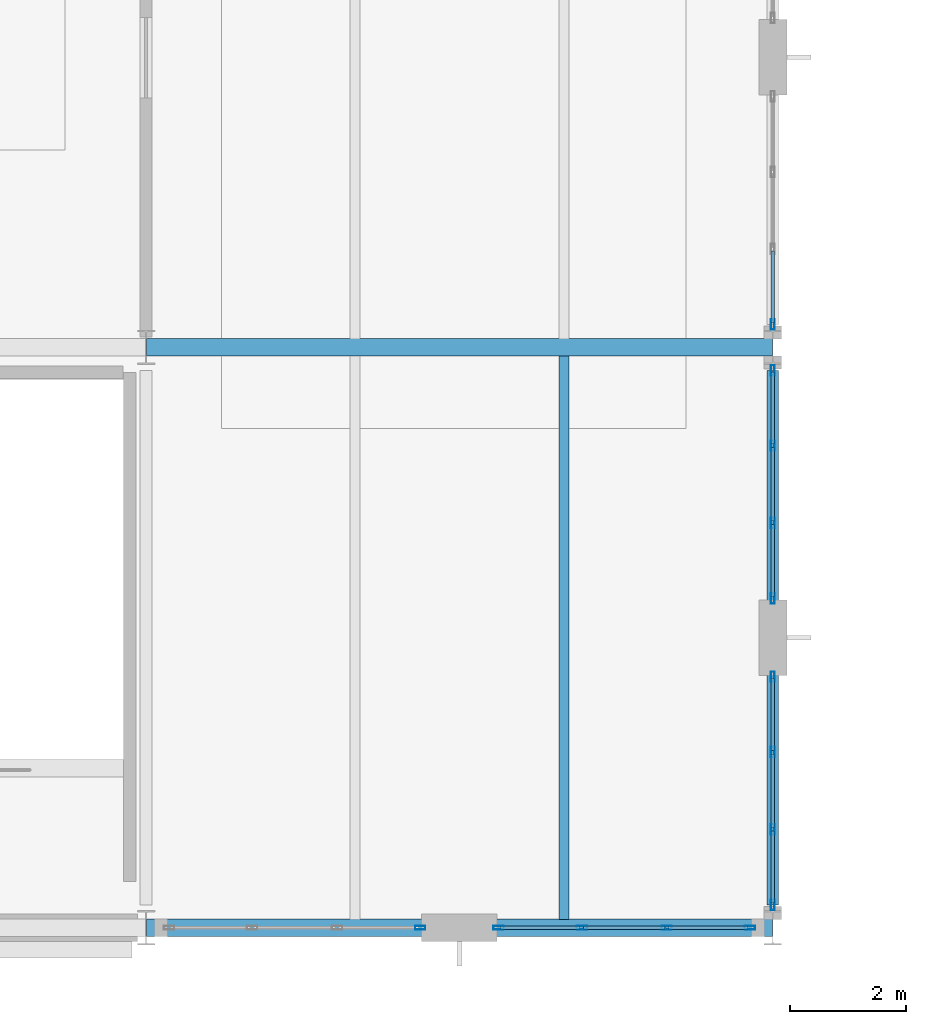
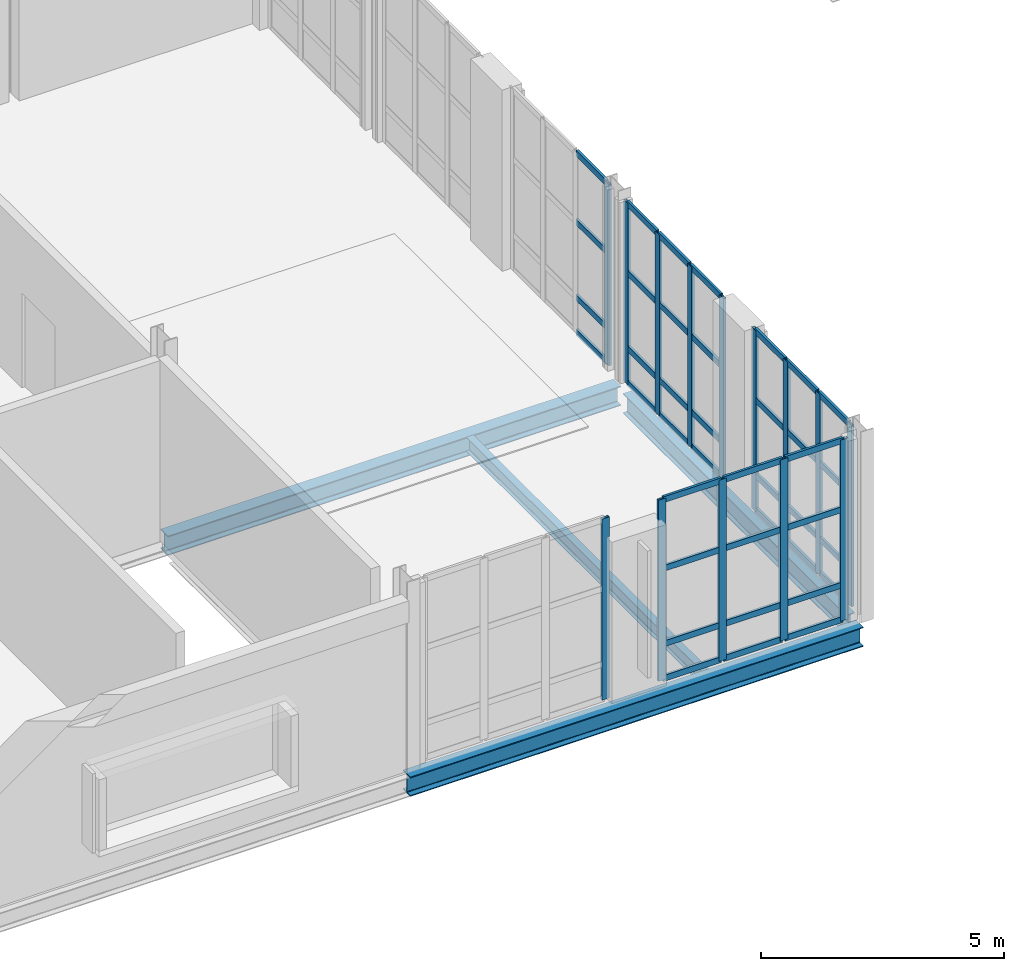
# One storey, part 18 of 92: 54 members, 4 beams, 5 elements without a shape of their own.
"""IFC4 building model written with IfcOpenShell, lengths in metres."""

from ifc_helpers import new_model, si_unit, direction, frame, origin, origin_2d, place, context, subcontext, project, spatial, hollow_rectangle, i_section, extrude, material, layer, layer_set, material_profile, profile_set, type_object, element, aggregate, save


model = new_model("IFC4")

# Units and contexts
model_context = context("Model", 3, precision=1e-05, world=origin(), true_north=direction((0.0, 1.0)))
body_context = subcontext(model_context, "Body", "Model", "MODEL_VIEW")
ifc_project = project(units=[si_unit("LENGTHUNIT", "METRE"), si_unit("AREAUNIT", "SQUARE_METRE"), si_unit("VOLUMEUNIT", "CUBIC_METRE"), si_unit("PLANEANGLEUNIT", "RADIAN"), si_unit("MASSUNIT", "GRAM", prefix="KILO")], contexts=[model_context])

# Site, building, storey
site_placement = place(None, origin())
site = spatial("IfcSite", under=ifc_project, at=site_placement, CompositionType="ELEMENT")
building_placement = place(site_placement, origin())
building = spatial("IfcBuilding", under=site, at=building_placement, Name="Tasgan Crest Museum", CompositionType="ELEMENT")
storey_placement = place(building_placement, frame((0.0, 0.0, 4.800048828125)))
storey = spatial("IfcBuildingStorey", under=building, at=storey_placement, Name="L01", CompositionType="ELEMENT", Elevation=4.800048828125)

# Beams
ifc_material_1 = material(Name="Steel S355J2", Category="steel")
ifc_material_profile_1 = material_profile(ifc_material_1, i_section(OverallWidth=0.300048828125, OverallDepth=0.489990234375, WebThickness=0.011962890625, FlangeThickness=0.02294921875, FilletRadius=0.027099609375, at=origin_2d()), Name="HEA 500")
ifc_profile_set_1 = profile_set([ifc_material_profile_1], Name="Steel S355J2")
beam_type_1 = type_object("IfcBeamType", Name="BM-G-HEA500", PredefinedType="BEAM", material=ifc_profile_set_1)
for number, where, z_axis, x_axis, name in (
    (1, (43.206787109375, 0.0, -0.485107421875), (1.0, 0.0, 0.0), (0.0, 1.0, 0.0), "Girder L01 A 43.2-54.0"),
    (2, (43.206787109375, 10.0, -0.485107421875), (1.0, 0.0, 0.0), (0.0, 1.0, 0.0), "Girder L01 B 43.2-54.0"),
):
    element("IfcBeam", number, at=place(storey_placement, frame(where, z_axis=z_axis, x_axis=x_axis)), inside=storey, type_object=beam_type_1, Name=name, PredefinedType="BEAM", context=body_context, shape_type="SweptSolid", body=[
        extrude(i_section(OverallWidth=0.300048828125, OverallDepth=0.489990234375, WebThickness=0.011962890625, FlangeThickness=0.02294921875, FilletRadius=0.027099609375, at=origin_2d()), origin(), (0.0, 0.0, 1.0), 10.786376953125),
    ])
ifc_material_2 = material(Name="Steel S355J2", Category="steel")
ifc_material_profile_2 = material_profile(ifc_material_2, i_section(OverallWidth=0.199951171875, OverallDepth=0.5, WebThickness=0.01025390625, FlangeThickness=0.01611328125, FilletRadius=0.02099609375, at=origin_2d()), Name="IPE 500")
ifc_profile_set_2 = profile_set([ifc_material_profile_2], Name="Steel S355J2")
beam_type_2 = type_object("IfcBeamType", Name="BM-G-IPE500", PredefinedType="BEAM", material=ifc_profile_set_2)
beam_1_placement = place(storey_placement, frame((54.0, 0.39501953125, -0.489990234375), z_axis=(0.0, 1.0, 0.0), x_axis=(-1.0, 0.0, 0.0)))
element("IfcBeam", 3, at=beam_1_placement, inside=storey, type_object=beam_type_2, Name="Beam L01 6 0.0-10.0", PredefinedType="BEAM", context=body_context, shape_type="SweptSolid", body=[
    extrude(i_section(OverallWidth=0.199951171875, OverallDepth=0.5, WebThickness=0.01025390625, FlangeThickness=0.01611328125, FilletRadius=0.02099609375, at=origin_2d()), origin(), (0.0, 0.0, 1.0), 9.2099609375),
])
ifc_material_3 = material(Name="Steel S355J2", Category="steel")
ifc_material_profile_3 = material_profile(ifc_material_3, i_section(OverallWidth=0.169921875, OverallDepth=0.360107421875, WebThickness=0.008056640625, FlangeThickness=0.0126953125, FilletRadius=0.01806640625, at=origin_2d()), Name="IPE 360")
ifc_profile_set_3 = profile_set([ifc_material_profile_3], Name="Steel S355J2")
beam_type_3 = type_object("IfcBeamType", Name="BM-J-IPE360", PredefinedType="JOIST", material=ifc_profile_set_3)
beam_2_placement = place(storey_placement, frame((50.39990234375, 0.14501953125, -0.420166015625), z_axis=(0.0, 1.0, 0.0), x_axis=(-1.0, 0.0, 0.0)))
element("IfcBeam", 4, at=beam_2_placement, inside=storey, type_object=beam_type_3, Name="Secondary joist L01 X=50.4 Y=0.0-10.0", PredefinedType="JOIST", context=body_context, shape_type="SweptSolid", body=[
    extrude(i_section(OverallWidth=0.169921875, OverallDepth=0.360107421875, WebThickness=0.008056640625, FlangeThickness=0.0126953125, FilletRadius=0.01806640625, at=origin_2d()), origin(), (0.0, 0.0, 1.0), 9.7099609375),
])

# Curtain wall, member
ifc_material_4 = material(Name="Triple-Glazed Aluminium Curtain Wall", Category="aluminium")
ifc_layer_1 = layer(ifc_material_4, 0.179931640625, Name="CW-PORCH-X")
ifc_layer_set_1 = layer_set([ifc_layer_1], Name="Triple-Glazed Aluminium Curtain Wall")
curtain_wall_type_1 = type_object("IfcCurtainWallType", Name="CW-PORCH-X", PredefinedType="NOTDEFINED", material=ifc_layer_set_1)
curtain_wall_1_placement = place(storey_placement, origin())
curtain_wall_1 = element("IfcCurtainWall", 5, at=curtain_wall_1_placement, inside=storey, type_object=curtain_wall_type_1, Name="Curtain wall L01 017", PredefinedType="NOTDEFINED")
ifc_material_5 = material(Name="Anodised Aluminium", Category="aluminium")
ifc_material_profile_4 = material_profile(ifc_material_5, hollow_rectangle(XDim=0.06494140625, YDim=0.179931640625, WallThickness=0.0048828125, at=origin_2d()), Name="ALU MULLION 180x65x5")
ifc_profile_set_4 = profile_set([ifc_material_profile_4], Name="Anodised Aluminium")
member_type_1 = type_object("IfcMemberType", Name="CW-MULLION-180", PredefinedType="MULLION", material=ifc_profile_set_4)
member_1_placement = place(storey_placement, frame((47.925048828125, 0.0, 0.0), z_axis=(0.0, 0.0, 1.0), x_axis=(0.0, 1.0, 0.0)))
member_1 = element("IfcMember", 6, at=member_1_placement, type_object=member_type_1, Name="CW01 mullion 4", PredefinedType="MULLION", context=body_context, shape_type="SweptSolid", body=[
    extrude(hollow_rectangle(XDim=0.06494140625, YDim=0.179931640625, WallThickness=0.0048828125, at=origin_2d()), origin(), (0.0, 0.0, 1.0), 4.56005859375),
])
aggregate(curtain_wall_1, [member_1])

# Curtain wall, members
curtain_wall_2_placement = place(storey_placement, origin())
curtain_wall_2 = element("IfcCurtainWall", 7, at=curtain_wall_2_placement, inside=storey, type_object=curtain_wall_type_1, Name="Curtain wall L01 018", PredefinedType="NOTDEFINED")
member_2_placement = place(storey_placement, frame((49.27490234375, 0.0, 0.0), z_axis=(0.0, 0.0, 1.0), x_axis=(0.0, 1.0, 0.0)))
member_2 = element("IfcMember", 8, at=member_2_placement, type_object=member_type_1, Name="CW01 mullion 1", PredefinedType="MULLION", context=body_context, shape_type="SweptSolid", body=[
    extrude(hollow_rectangle(XDim=0.06494140625, YDim=0.179931640625, WallThickness=0.0048828125, at=origin_2d()), origin(), (0.0, 0.0, 1.0), 4.56005859375),
])
member_3_placement = place(storey_placement, frame((50.708251953125, 0.0, 0.0), z_axis=(0.0, 0.0, 1.0), x_axis=(0.0, 1.0, 0.0)))
member_3 = element("IfcMember", 9, at=member_3_placement, type_object=member_type_1, Name="CW01 mullion 2", PredefinedType="MULLION", context=body_context, shape_type="SweptSolid", body=[
    extrude(hollow_rectangle(XDim=0.06494140625, YDim=0.179931640625, WallThickness=0.0048828125, at=origin_2d()), origin(), (0.0, 0.0, 1.0), 4.56005859375),
])
member_4_placement = place(storey_placement, frame((52.171630859375, 0.0, 0.0), z_axis=(0.0, 0.0, 1.0), x_axis=(0.0, 1.0, 0.0)))
member_4 = element("IfcMember", 10, at=member_4_placement, type_object=member_type_1, Name="CW01 mullion 3", PredefinedType="MULLION", context=body_context, shape_type="SweptSolid", body=[
    extrude(hollow_rectangle(XDim=0.06494140625, YDim=0.179931640625, WallThickness=0.0048828125, at=origin_2d()), origin(), (0.0, 0.0, 1.0), 4.56005859375),
])
member_5_placement = place(storey_placement, frame((53.60498046875, 0.0, 0.0), z_axis=(0.0, 0.0, 1.0), x_axis=(0.0, 1.0, 0.0)))
member_5 = element("IfcMember", 11, at=member_5_placement, type_object=member_type_1, Name="CW01 mullion 4", PredefinedType="MULLION", context=body_context, shape_type="SweptSolid", body=[
    extrude(hollow_rectangle(XDim=0.06494140625, YDim=0.179931640625, WallThickness=0.0048828125, at=origin_2d()), origin(), (0.0, 0.0, 1.0), 4.56005859375),
])

ifc_material_6 = material(Name="Triple-Glazed Aluminium Curtain Wall", Category="aluminium")
ifc_layer_2 = layer(ifc_material_6, 0.179931640625, Name="CW-PORCH-Y")
ifc_layer_set_2 = layer_set([ifc_layer_2], Name="Triple-Glazed Aluminium Curtain Wall")
curtain_wall_type_2 = type_object("IfcCurtainWallType", Name="CW-PORCH-Y", PredefinedType="NOTDEFINED", material=ifc_layer_set_2)
curtain_wall_3_placement = place(storey_placement, origin())
curtain_wall_3 = element("IfcCurtainWall", 12, at=curtain_wall_3_placement, inside=storey, type_object=curtain_wall_type_2, Name="Curtain wall L01 019", PredefinedType="NOTDEFINED")
member_6_placement = place(storey_placement, frame((54.0, 0.39501953125, 0.0), z_axis=(0.0, 0.0, 1.0), x_axis=(-1.0, 0.0, 0.0)))
member_6 = element("IfcMember", 13, at=member_6_placement, type_object=member_type_1, Name="CW02 mullion 1", PredefinedType="MULLION", context=body_context, shape_type="SweptSolid", body=[
    extrude(hollow_rectangle(XDim=0.06494140625, YDim=0.179931640625, WallThickness=0.0048828125, at=origin_2d()), origin(), (0.0, 0.0, 1.0), 4.56005859375),
])
member_7_placement = place(storey_placement, frame((54.0, 1.695068359375, 0.0), z_axis=(0.0, 0.0, 1.0), x_axis=(-1.0, 0.0, 0.0)))
member_7 = element("IfcMember", 14, at=member_7_placement, type_object=member_type_1, Name="CW02 mullion 2", PredefinedType="MULLION", context=body_context, shape_type="SweptSolid", body=[
    extrude(hollow_rectangle(XDim=0.06494140625, YDim=0.179931640625, WallThickness=0.0048828125, at=origin_2d()), origin(), (0.0, 0.0, 1.0), 4.56005859375),
])
member_8_placement = place(storey_placement, frame((54.0, 3.02490234375, 0.0), z_axis=(0.0, 0.0, 1.0), x_axis=(-1.0, 0.0, 0.0)))
member_8 = element("IfcMember", 15, at=member_8_placement, type_object=member_type_1, Name="CW02 mullion 3", PredefinedType="MULLION", context=body_context, shape_type="SweptSolid", body=[
    extrude(hollow_rectangle(XDim=0.06494140625, YDim=0.179931640625, WallThickness=0.0048828125, at=origin_2d()), origin(), (0.0, 0.0, 1.0), 4.56005859375),
])
member_9_placement = place(storey_placement, frame((54.0, 4.324951171875, 0.0), z_axis=(0.0, 0.0, 1.0), x_axis=(-1.0, 0.0, 0.0)))
member_9 = element("IfcMember", 16, at=member_9_placement, type_object=member_type_1, Name="CW02 mullion 4", PredefinedType="MULLION", context=body_context, shape_type="SweptSolid", body=[
    extrude(hollow_rectangle(XDim=0.06494140625, YDim=0.179931640625, WallThickness=0.0048828125, at=origin_2d()), origin(), (0.0, 0.0, 1.0), 4.56005859375),
])

curtain_wall_4_placement = place(storey_placement, origin())
curtain_wall_4 = element("IfcCurtainWall", 17, at=curtain_wall_4_placement, inside=storey, type_object=curtain_wall_type_2, Name="Curtain wall L01 020", PredefinedType="NOTDEFINED")
member_10_placement = place(storey_placement, frame((54.0, 5.675048828125, 0.0), z_axis=(0.0, 0.0, 1.0), x_axis=(-1.0, 0.0, 0.0)))
member_10 = element("IfcMember", 18, at=member_10_placement, type_object=member_type_1, Name="CW02 mullion 1", PredefinedType="MULLION", context=body_context, shape_type="SweptSolid", body=[
    extrude(hollow_rectangle(XDim=0.06494140625, YDim=0.179931640625, WallThickness=0.0048828125, at=origin_2d()), origin(), (0.0, 0.0, 1.0), 4.56005859375),
])
member_11_placement = place(storey_placement, frame((54.0, 6.97509765625, 0.0), z_axis=(0.0, 0.0, 1.0), x_axis=(-1.0, 0.0, 0.0)))
member_11 = element("IfcMember", 19, at=member_11_placement, type_object=member_type_1, Name="CW02 mullion 2", PredefinedType="MULLION", context=body_context, shape_type="SweptSolid", body=[
    extrude(hollow_rectangle(XDim=0.06494140625, YDim=0.179931640625, WallThickness=0.0048828125, at=origin_2d()), origin(), (0.0, 0.0, 1.0), 4.56005859375),
])
member_12_placement = place(storey_placement, frame((54.0, 8.304931640625, 0.0), z_axis=(0.0, 0.0, 1.0), x_axis=(-1.0, 0.0, 0.0)))
member_12 = element("IfcMember", 20, at=member_12_placement, type_object=member_type_1, Name="CW02 mullion 3", PredefinedType="MULLION", context=body_context, shape_type="SweptSolid", body=[
    extrude(hollow_rectangle(XDim=0.06494140625, YDim=0.179931640625, WallThickness=0.0048828125, at=origin_2d()), origin(), (0.0, 0.0, 1.0), 4.56005859375),
])
member_13_placement = place(storey_placement, frame((54.0, 9.60498046875, 0.0), z_axis=(0.0, 0.0, 1.0), x_axis=(-1.0, 0.0, 0.0)))
member_13 = element("IfcMember", 21, at=member_13_placement, type_object=member_type_1, Name="CW02 mullion 4", PredefinedType="MULLION", context=body_context, shape_type="SweptSolid", body=[
    extrude(hollow_rectangle(XDim=0.06494140625, YDim=0.179931640625, WallThickness=0.0048828125, at=origin_2d()), origin(), (0.0, 0.0, 1.0), 4.56005859375),
])

# Curtain wall, member
curtain_wall_5_placement = place(storey_placement, origin())
curtain_wall_5 = element("IfcCurtainWall", 22, at=curtain_wall_5_placement, inside=storey, type_object=curtain_wall_type_2, Name="Curtain wall L01 021", PredefinedType="NOTDEFINED")
member_14_placement = place(storey_placement, frame((54.0, 10.39501953125, 0.0), z_axis=(0.0, 0.0, 1.0), x_axis=(-1.0, 0.0, 0.0)))
member_14 = element("IfcMember", 23, at=member_14_placement, type_object=member_type_1, Name="CW02 mullion 1", PredefinedType="MULLION", context=body_context, shape_type="SweptSolid", body=[
    extrude(hollow_rectangle(XDim=0.06494140625, YDim=0.179931640625, WallThickness=0.0048828125, at=origin_2d()), origin(), (0.0, 0.0, 1.0), 4.56005859375),
])

# Member
ifc_material_7 = material(Name="Anodised Aluminium", Category="aluminium")
ifc_material_profile_5 = material_profile(ifc_material_7, hollow_rectangle(XDim=0.06005859375, YDim=0.14990234375, WallThickness=0.0048828125, at=origin_2d()), Name="ALU TRANSOM 150x60x5")
ifc_profile_set_5 = profile_set([ifc_material_profile_5], Name="Anodised Aluminium")
member_type_2 = type_object("IfcMemberType", Name="CW-TRANSOM-150", PredefinedType="USERDEFINED", material=ifc_profile_set_5)
member_15_placement = place(storey_placement, frame((49.304931640625, 0.0, 0.030029296875), z_axis=(1.0, 0.0, 0.0), x_axis=(0.0, 1.0, 0.0)))
member_15 = element("IfcMember", 24, at=member_15_placement, type_object=member_type_2, Name="CW01 transom 1.1", ObjectType="TRANSOM", PredefinedType="USERDEFINED", context=body_context, shape_type="SweptSolid", body=[
    extrude(hollow_rectangle(XDim=0.06005859375, YDim=0.14990234375, WallThickness=0.0048828125, at=origin_2d()), origin(), (0.0, 0.0, 1.0), 1.373291015625),
])

member_16_placement = place(storey_placement, frame((49.304931640625, 0.0, 0.89990234375), z_axis=(1.0, 0.0, 0.0), x_axis=(0.0, 1.0, 0.0)))
member_16 = element("IfcMember", 25, at=member_16_placement, type_object=member_type_2, Name="CW01 transom 1.2", ObjectType="TRANSOM", PredefinedType="USERDEFINED", context=body_context, shape_type="SweptSolid", body=[
    extrude(hollow_rectangle(XDim=0.06005859375, YDim=0.14990234375, WallThickness=0.0048828125, at=origin_2d()), origin(), (0.0, 0.0, 1.0), 1.373291015625),
])

member_17_placement = place(storey_placement, frame((49.304931640625, 0.0, 2.800048828125), z_axis=(1.0, 0.0, 0.0), x_axis=(0.0, 1.0, 0.0)))
member_17 = element("IfcMember", 26, at=member_17_placement, type_object=member_type_2, Name="CW01 transom 1.3", ObjectType="TRANSOM", PredefinedType="USERDEFINED", context=body_context, shape_type="SweptSolid", body=[
    extrude(hollow_rectangle(XDim=0.06005859375, YDim=0.14990234375, WallThickness=0.0048828125, at=origin_2d()), origin(), (0.0, 0.0, 1.0), 1.373291015625),
])

member_18_placement = place(storey_placement, frame((49.304931640625, 0.0, 4.530029296875), z_axis=(1.0, 0.0, 0.0), x_axis=(0.0, 1.0, 0.0)))
member_18 = element("IfcMember", 27, at=member_18_placement, type_object=member_type_2, Name="CW01 transom 1.4", ObjectType="TRANSOM", PredefinedType="USERDEFINED", context=body_context, shape_type="SweptSolid", body=[
    extrude(hollow_rectangle(XDim=0.06005859375, YDim=0.14990234375, WallThickness=0.0048828125, at=origin_2d()), origin(), (0.0, 0.0, 1.0), 1.373291015625),
])

member_19_placement = place(storey_placement, frame((50.73828125, 0.0, 0.030029296875), z_axis=(1.0, 0.0, 0.0), x_axis=(0.0, 1.0, 0.0)))
member_19 = element("IfcMember", 28, at=member_19_placement, type_object=member_type_2, Name="CW01 transom 2.1", ObjectType="TRANSOM", PredefinedType="USERDEFINED", context=body_context, shape_type="SweptSolid", body=[
    extrude(hollow_rectangle(XDim=0.06005859375, YDim=0.14990234375, WallThickness=0.0048828125, at=origin_2d()), origin(), (0.0, 0.0, 1.0), 1.4033203125),
])

member_20_placement = place(storey_placement, frame((50.73828125, 0.0, 0.89990234375), z_axis=(1.0, 0.0, 0.0), x_axis=(0.0, 1.0, 0.0)))
member_20 = element("IfcMember", 29, at=member_20_placement, type_object=member_type_2, Name="CW01 transom 2.2", ObjectType="TRANSOM", PredefinedType="USERDEFINED", context=body_context, shape_type="SweptSolid", body=[
    extrude(hollow_rectangle(XDim=0.06005859375, YDim=0.14990234375, WallThickness=0.0048828125, at=origin_2d()), origin(), (0.0, 0.0, 1.0), 1.4033203125),
])

member_21_placement = place(storey_placement, frame((50.73828125, 0.0, 2.800048828125), z_axis=(1.0, 0.0, 0.0), x_axis=(0.0, 1.0, 0.0)))
member_21 = element("IfcMember", 30, at=member_21_placement, type_object=member_type_2, Name="CW01 transom 2.3", ObjectType="TRANSOM", PredefinedType="USERDEFINED", context=body_context, shape_type="SweptSolid", body=[
    extrude(hollow_rectangle(XDim=0.06005859375, YDim=0.14990234375, WallThickness=0.0048828125, at=origin_2d()), origin(), (0.0, 0.0, 1.0), 1.4033203125),
])

member_22_placement = place(storey_placement, frame((50.73828125, 0.0, 4.530029296875), z_axis=(1.0, 0.0, 0.0), x_axis=(0.0, 1.0, 0.0)))
member_22 = element("IfcMember", 31, at=member_22_placement, type_object=member_type_2, Name="CW01 transom 2.4", ObjectType="TRANSOM", PredefinedType="USERDEFINED", context=body_context, shape_type="SweptSolid", body=[
    extrude(hollow_rectangle(XDim=0.06005859375, YDim=0.14990234375, WallThickness=0.0048828125, at=origin_2d()), origin(), (0.0, 0.0, 1.0), 1.4033203125),
])

member_23_placement = place(storey_placement, frame((52.20166015625, 0.0, 0.030029296875), z_axis=(1.0, 0.0, 0.0), x_axis=(0.0, 1.0, 0.0)))
member_23 = element("IfcMember", 32, at=member_23_placement, type_object=member_type_2, Name="CW01 transom 3.1", ObjectType="TRANSOM", PredefinedType="USERDEFINED", context=body_context, shape_type="SweptSolid", body=[
    extrude(hollow_rectangle(XDim=0.06005859375, YDim=0.14990234375, WallThickness=0.0048828125, at=origin_2d()), origin(), (0.0, 0.0, 1.0), 1.373291015625),
])

member_24_placement = place(storey_placement, frame((52.20166015625, 0.0, 0.89990234375), z_axis=(1.0, 0.0, 0.0), x_axis=(0.0, 1.0, 0.0)))
member_24 = element("IfcMember", 33, at=member_24_placement, type_object=member_type_2, Name="CW01 transom 3.2", ObjectType="TRANSOM", PredefinedType="USERDEFINED", context=body_context, shape_type="SweptSolid", body=[
    extrude(hollow_rectangle(XDim=0.06005859375, YDim=0.14990234375, WallThickness=0.0048828125, at=origin_2d()), origin(), (0.0, 0.0, 1.0), 1.373291015625),
])

member_25_placement = place(storey_placement, frame((52.20166015625, 0.0, 2.800048828125), z_axis=(1.0, 0.0, 0.0), x_axis=(0.0, 1.0, 0.0)))
member_25 = element("IfcMember", 34, at=member_25_placement, type_object=member_type_2, Name="CW01 transom 3.3", ObjectType="TRANSOM", PredefinedType="USERDEFINED", context=body_context, shape_type="SweptSolid", body=[
    extrude(hollow_rectangle(XDim=0.06005859375, YDim=0.14990234375, WallThickness=0.0048828125, at=origin_2d()), origin(), (0.0, 0.0, 1.0), 1.373291015625),
])

member_26_placement = place(storey_placement, frame((52.20166015625, 0.0, 4.530029296875), z_axis=(1.0, 0.0, 0.0), x_axis=(0.0, 1.0, 0.0)))
member_26 = element("IfcMember", 35, at=member_26_placement, type_object=member_type_2, Name="CW01 transom 3.4", ObjectType="TRANSOM", PredefinedType="USERDEFINED", context=body_context, shape_type="SweptSolid", body=[
    extrude(hollow_rectangle(XDim=0.06005859375, YDim=0.14990234375, WallThickness=0.0048828125, at=origin_2d()), origin(), (0.0, 0.0, 1.0), 1.373291015625),
])

aggregate(curtain_wall_2, [member_2, member_3, member_4, member_5, member_15, member_16, member_17, member_18, member_19, member_20, member_21, member_22, member_23, member_24, member_25, member_26])

member_27_placement = place(storey_placement, frame((54.0, 0.425048828125, 0.030029296875), z_axis=(0.0, 1.0, 0.0), x_axis=(-1.0, 0.0, 0.0)))
member_27 = element("IfcMember", 36, at=member_27_placement, type_object=member_type_2, Name="CW02 transom 1.1", ObjectType="TRANSOM", PredefinedType="USERDEFINED", context=body_context, shape_type="SweptSolid", body=[
    extrude(hollow_rectangle(XDim=0.06005859375, YDim=0.14990234375, WallThickness=0.0048828125, at=origin_2d()), origin(), (0.0, 0.0, 1.0), 1.239990234375),
])

member_28_placement = place(storey_placement, frame((54.0, 0.425048828125, 0.89990234375), z_axis=(0.0, 1.0, 0.0), x_axis=(-1.0, 0.0, 0.0)))
member_28 = element("IfcMember", 37, at=member_28_placement, type_object=member_type_2, Name="CW02 transom 1.2", ObjectType="TRANSOM", PredefinedType="USERDEFINED", context=body_context, shape_type="SweptSolid", body=[
    extrude(hollow_rectangle(XDim=0.06005859375, YDim=0.14990234375, WallThickness=0.0048828125, at=origin_2d()), origin(), (0.0, 0.0, 1.0), 1.239990234375),
])

member_29_placement = place(storey_placement, frame((54.0, 0.425048828125, 2.800048828125), z_axis=(0.0, 1.0, 0.0), x_axis=(-1.0, 0.0, 0.0)))
member_29 = element("IfcMember", 38, at=member_29_placement, type_object=member_type_2, Name="CW02 transom 1.3", ObjectType="TRANSOM", PredefinedType="USERDEFINED", context=body_context, shape_type="SweptSolid", body=[
    extrude(hollow_rectangle(XDim=0.06005859375, YDim=0.14990234375, WallThickness=0.0048828125, at=origin_2d()), origin(), (0.0, 0.0, 1.0), 1.239990234375),
])

member_30_placement = place(storey_placement, frame((54.0, 0.425048828125, 4.530029296875), z_axis=(0.0, 1.0, 0.0), x_axis=(-1.0, 0.0, 0.0)))
member_30 = element("IfcMember", 39, at=member_30_placement, type_object=member_type_2, Name="CW02 transom 1.4", ObjectType="TRANSOM", PredefinedType="USERDEFINED", context=body_context, shape_type="SweptSolid", body=[
    extrude(hollow_rectangle(XDim=0.06005859375, YDim=0.14990234375, WallThickness=0.0048828125, at=origin_2d()), origin(), (0.0, 0.0, 1.0), 1.239990234375),
])

member_31_placement = place(storey_placement, frame((54.0, 1.72509765625, 0.030029296875), z_axis=(0.0, 1.0, 0.0), x_axis=(-1.0, 0.0, 0.0)))
member_31 = element("IfcMember", 40, at=member_31_placement, type_object=member_type_2, Name="CW02 transom 2.1", ObjectType="TRANSOM", PredefinedType="USERDEFINED", context=body_context, shape_type="SweptSolid", body=[
    extrude(hollow_rectangle(XDim=0.06005859375, YDim=0.14990234375, WallThickness=0.0048828125, at=origin_2d()), origin(), (0.0, 0.0, 1.0), 1.27001953125),
])

member_32_placement = place(storey_placement, frame((54.0, 1.72509765625, 0.89990234375), z_axis=(0.0, 1.0, 0.0), x_axis=(-1.0, 0.0, 0.0)))
member_32 = element("IfcMember", 41, at=member_32_placement, type_object=member_type_2, Name="CW02 transom 2.2", ObjectType="TRANSOM", PredefinedType="USERDEFINED", context=body_context, shape_type="SweptSolid", body=[
    extrude(hollow_rectangle(XDim=0.06005859375, YDim=0.14990234375, WallThickness=0.0048828125, at=origin_2d()), origin(), (0.0, 0.0, 1.0), 1.27001953125),
])

member_33_placement = place(storey_placement, frame((54.0, 1.72509765625, 2.800048828125), z_axis=(0.0, 1.0, 0.0), x_axis=(-1.0, 0.0, 0.0)))
member_33 = element("IfcMember", 42, at=member_33_placement, type_object=member_type_2, Name="CW02 transom 2.3", ObjectType="TRANSOM", PredefinedType="USERDEFINED", context=body_context, shape_type="SweptSolid", body=[
    extrude(hollow_rectangle(XDim=0.06005859375, YDim=0.14990234375, WallThickness=0.0048828125, at=origin_2d()), origin(), (0.0, 0.0, 1.0), 1.27001953125),
])

member_34_placement = place(storey_placement, frame((54.0, 1.72509765625, 4.530029296875), z_axis=(0.0, 1.0, 0.0), x_axis=(-1.0, 0.0, 0.0)))
member_34 = element("IfcMember", 43, at=member_34_placement, type_object=member_type_2, Name="CW02 transom 2.4", ObjectType="TRANSOM", PredefinedType="USERDEFINED", context=body_context, shape_type="SweptSolid", body=[
    extrude(hollow_rectangle(XDim=0.06005859375, YDim=0.14990234375, WallThickness=0.0048828125, at=origin_2d()), origin(), (0.0, 0.0, 1.0), 1.27001953125),
])

member_35_placement = place(storey_placement, frame((54.0, 3.054931640625, 0.030029296875), z_axis=(0.0, 1.0, 0.0), x_axis=(-1.0, 0.0, 0.0)))
member_35 = element("IfcMember", 44, at=member_35_placement, type_object=member_type_2, Name="CW02 transom 3.1", ObjectType="TRANSOM", PredefinedType="USERDEFINED", context=body_context, shape_type="SweptSolid", body=[
    extrude(hollow_rectangle(XDim=0.06005859375, YDim=0.14990234375, WallThickness=0.0048828125, at=origin_2d()), origin(), (0.0, 0.0, 1.0), 1.239990234375),
])

member_36_placement = place(storey_placement, frame((54.0, 3.054931640625, 0.89990234375), z_axis=(0.0, 1.0, 0.0), x_axis=(-1.0, 0.0, 0.0)))
member_36 = element("IfcMember", 45, at=member_36_placement, type_object=member_type_2, Name="CW02 transom 3.2", ObjectType="TRANSOM", PredefinedType="USERDEFINED", context=body_context, shape_type="SweptSolid", body=[
    extrude(hollow_rectangle(XDim=0.06005859375, YDim=0.14990234375, WallThickness=0.0048828125, at=origin_2d()), origin(), (0.0, 0.0, 1.0), 1.239990234375),
])

member_37_placement = place(storey_placement, frame((54.0, 3.054931640625, 2.800048828125), z_axis=(0.0, 1.0, 0.0), x_axis=(-1.0, 0.0, 0.0)))
member_37 = element("IfcMember", 46, at=member_37_placement, type_object=member_type_2, Name="CW02 transom 3.3", ObjectType="TRANSOM", PredefinedType="USERDEFINED", context=body_context, shape_type="SweptSolid", body=[
    extrude(hollow_rectangle(XDim=0.06005859375, YDim=0.14990234375, WallThickness=0.0048828125, at=origin_2d()), origin(), (0.0, 0.0, 1.0), 1.239990234375),
])

member_38_placement = place(storey_placement, frame((54.0, 3.054931640625, 4.530029296875), z_axis=(0.0, 1.0, 0.0), x_axis=(-1.0, 0.0, 0.0)))
member_38 = element("IfcMember", 47, at=member_38_placement, type_object=member_type_2, Name="CW02 transom 3.4", ObjectType="TRANSOM", PredefinedType="USERDEFINED", context=body_context, shape_type="SweptSolid", body=[
    extrude(hollow_rectangle(XDim=0.06005859375, YDim=0.14990234375, WallThickness=0.0048828125, at=origin_2d()), origin(), (0.0, 0.0, 1.0), 1.239990234375),
])

aggregate(curtain_wall_3, [member_6, member_7, member_8, member_9, member_27, member_28, member_29, member_30, member_31, member_32, member_33, member_34, member_35, member_36, member_37, member_38])

member_39_placement = place(storey_placement, frame((54.0, 5.705078125, 0.030029296875), z_axis=(0.0, 1.0, 0.0), x_axis=(-1.0, 0.0, 0.0)))
member_39 = element("IfcMember", 48, at=member_39_placement, type_object=member_type_2, Name="CW02 transom 1.1", ObjectType="TRANSOM", PredefinedType="USERDEFINED", context=body_context, shape_type="SweptSolid", body=[
    extrude(hollow_rectangle(XDim=0.06005859375, YDim=0.14990234375, WallThickness=0.0048828125, at=origin_2d()), origin(), (0.0, 0.0, 1.0), 1.239990234375),
])

member_40_placement = place(storey_placement, frame((54.0, 5.705078125, 0.89990234375), z_axis=(0.0, 1.0, 0.0), x_axis=(-1.0, 0.0, 0.0)))
member_40 = element("IfcMember", 49, at=member_40_placement, type_object=member_type_2, Name="CW02 transom 1.2", ObjectType="TRANSOM", PredefinedType="USERDEFINED", context=body_context, shape_type="SweptSolid", body=[
    extrude(hollow_rectangle(XDim=0.06005859375, YDim=0.14990234375, WallThickness=0.0048828125, at=origin_2d()), origin(), (0.0, 0.0, 1.0), 1.239990234375),
])

member_41_placement = place(storey_placement, frame((54.0, 5.705078125, 2.800048828125), z_axis=(0.0, 1.0, 0.0), x_axis=(-1.0, 0.0, 0.0)))
member_41 = element("IfcMember", 50, at=member_41_placement, type_object=member_type_2, Name="CW02 transom 1.3", ObjectType="TRANSOM", PredefinedType="USERDEFINED", context=body_context, shape_type="SweptSolid", body=[
    extrude(hollow_rectangle(XDim=0.06005859375, YDim=0.14990234375, WallThickness=0.0048828125, at=origin_2d()), origin(), (0.0, 0.0, 1.0), 1.239990234375),
])

member_42_placement = place(storey_placement, frame((54.0, 5.705078125, 4.530029296875), z_axis=(0.0, 1.0, 0.0), x_axis=(-1.0, 0.0, 0.0)))
member_42 = element("IfcMember", 51, at=member_42_placement, type_object=member_type_2, Name="CW02 transom 1.4", ObjectType="TRANSOM", PredefinedType="USERDEFINED", context=body_context, shape_type="SweptSolid", body=[
    extrude(hollow_rectangle(XDim=0.06005859375, YDim=0.14990234375, WallThickness=0.0048828125, at=origin_2d()), origin(), (0.0, 0.0, 1.0), 1.239990234375),
])

member_43_placement = place(storey_placement, frame((54.0, 7.0048828125, 0.030029296875), z_axis=(0.0, 1.0, 0.0), x_axis=(-1.0, 0.0, 0.0)))
member_43 = element("IfcMember", 52, at=member_43_placement, type_object=member_type_2, Name="CW02 transom 2.1", ObjectType="TRANSOM", PredefinedType="USERDEFINED", context=body_context, shape_type="SweptSolid", body=[
    extrude(hollow_rectangle(XDim=0.06005859375, YDim=0.14990234375, WallThickness=0.0048828125, at=origin_2d()), origin(), (0.0, 0.0, 1.0), 1.27001953125),
])

member_44_placement = place(storey_placement, frame((54.0, 7.0048828125, 0.89990234375), z_axis=(0.0, 1.0, 0.0), x_axis=(-1.0, 0.0, 0.0)))
member_44 = element("IfcMember", 53, at=member_44_placement, type_object=member_type_2, Name="CW02 transom 2.2", ObjectType="TRANSOM", PredefinedType="USERDEFINED", context=body_context, shape_type="SweptSolid", body=[
    extrude(hollow_rectangle(XDim=0.06005859375, YDim=0.14990234375, WallThickness=0.0048828125, at=origin_2d()), origin(), (0.0, 0.0, 1.0), 1.27001953125),
])

member_45_placement = place(storey_placement, frame((54.0, 7.0048828125, 2.800048828125), z_axis=(0.0, 1.0, 0.0), x_axis=(-1.0, 0.0, 0.0)))
member_45 = element("IfcMember", 54, at=member_45_placement, type_object=member_type_2, Name="CW02 transom 2.3", ObjectType="TRANSOM", PredefinedType="USERDEFINED", context=body_context, shape_type="SweptSolid", body=[
    extrude(hollow_rectangle(XDim=0.06005859375, YDim=0.14990234375, WallThickness=0.0048828125, at=origin_2d()), origin(), (0.0, 0.0, 1.0), 1.27001953125),
])

member_46_placement = place(storey_placement, frame((54.0, 7.0048828125, 4.530029296875), z_axis=(0.0, 1.0, 0.0), x_axis=(-1.0, 0.0, 0.0)))
member_46 = element("IfcMember", 55, at=member_46_placement, type_object=member_type_2, Name="CW02 transom 2.4", ObjectType="TRANSOM", PredefinedType="USERDEFINED", context=body_context, shape_type="SweptSolid", body=[
    extrude(hollow_rectangle(XDim=0.06005859375, YDim=0.14990234375, WallThickness=0.0048828125, at=origin_2d()), origin(), (0.0, 0.0, 1.0), 1.27001953125),
])

member_47_placement = place(storey_placement, frame((54.0, 8.3349609375, 0.030029296875), z_axis=(0.0, 1.0, 0.0), x_axis=(-1.0, 0.0, 0.0)))
member_47 = element("IfcMember", 56, at=member_47_placement, type_object=member_type_2, Name="CW02 transom 3.1", ObjectType="TRANSOM", PredefinedType="USERDEFINED", context=body_context, shape_type="SweptSolid", body=[
    extrude(hollow_rectangle(XDim=0.06005859375, YDim=0.14990234375, WallThickness=0.0048828125, at=origin_2d()), origin(), (0.0, 0.0, 1.0), 1.239990234375),
])

member_48_placement = place(storey_placement, frame((54.0, 8.3349609375, 0.89990234375), z_axis=(0.0, 1.0, 0.0), x_axis=(-1.0, 0.0, 0.0)))
member_48 = element("IfcMember", 57, at=member_48_placement, type_object=member_type_2, Name="CW02 transom 3.2", ObjectType="TRANSOM", PredefinedType="USERDEFINED", context=body_context, shape_type="SweptSolid", body=[
    extrude(hollow_rectangle(XDim=0.06005859375, YDim=0.14990234375, WallThickness=0.0048828125, at=origin_2d()), origin(), (0.0, 0.0, 1.0), 1.239990234375),
])

member_49_placement = place(storey_placement, frame((54.0, 8.3349609375, 2.800048828125), z_axis=(0.0, 1.0, 0.0), x_axis=(-1.0, 0.0, 0.0)))
member_49 = element("IfcMember", 58, at=member_49_placement, type_object=member_type_2, Name="CW02 transom 3.3", ObjectType="TRANSOM", PredefinedType="USERDEFINED", context=body_context, shape_type="SweptSolid", body=[
    extrude(hollow_rectangle(XDim=0.06005859375, YDim=0.14990234375, WallThickness=0.0048828125, at=origin_2d()), origin(), (0.0, 0.0, 1.0), 1.239990234375),
])

member_50_placement = place(storey_placement, frame((54.0, 8.3349609375, 4.530029296875), z_axis=(0.0, 1.0, 0.0), x_axis=(-1.0, 0.0, 0.0)))
member_50 = element("IfcMember", 59, at=member_50_placement, type_object=member_type_2, Name="CW02 transom 3.4", ObjectType="TRANSOM", PredefinedType="USERDEFINED", context=body_context, shape_type="SweptSolid", body=[
    extrude(hollow_rectangle(XDim=0.06005859375, YDim=0.14990234375, WallThickness=0.0048828125, at=origin_2d()), origin(), (0.0, 0.0, 1.0), 1.239990234375),
])

aggregate(curtain_wall_4, [member_10, member_11, member_12, member_13, member_39, member_40, member_41, member_42, member_43, member_44, member_45, member_46, member_47, member_48, member_49, member_50])

member_51_placement = place(storey_placement, frame((54.0, 10.425048828125, 0.030029296875), z_axis=(0.0, 1.0, 0.0), x_axis=(-1.0, 0.0, 0.0)))
member_51 = element("IfcMember", 60, at=member_51_placement, type_object=member_type_2, Name="CW02 transom 1.1", ObjectType="TRANSOM", PredefinedType="USERDEFINED", context=body_context, shape_type="SweptSolid", body=[
    extrude(hollow_rectangle(XDim=0.06005859375, YDim=0.14990234375, WallThickness=0.0048828125, at=origin_2d()), origin(), (0.0, 0.0, 1.0), 1.239990234375),
])

member_52_placement = place(storey_placement, frame((54.0, 10.425048828125, 0.89990234375), z_axis=(0.0, 1.0, 0.0), x_axis=(-1.0, 0.0, 0.0)))
member_52 = element("IfcMember", 61, at=member_52_placement, type_object=member_type_2, Name="CW02 transom 1.2", ObjectType="TRANSOM", PredefinedType="USERDEFINED", context=body_context, shape_type="SweptSolid", body=[
    extrude(hollow_rectangle(XDim=0.06005859375, YDim=0.14990234375, WallThickness=0.0048828125, at=origin_2d()), origin(), (0.0, 0.0, 1.0), 1.239990234375),
])

member_53_placement = place(storey_placement, frame((54.0, 10.425048828125, 2.800048828125), z_axis=(0.0, 1.0, 0.0), x_axis=(-1.0, 0.0, 0.0)))
member_53 = element("IfcMember", 62, at=member_53_placement, type_object=member_type_2, Name="CW02 transom 1.3", ObjectType="TRANSOM", PredefinedType="USERDEFINED", context=body_context, shape_type="SweptSolid", body=[
    extrude(hollow_rectangle(XDim=0.06005859375, YDim=0.14990234375, WallThickness=0.0048828125, at=origin_2d()), origin(), (0.0, 0.0, 1.0), 1.239990234375),
])

member_54_placement = place(storey_placement, frame((54.0, 10.425048828125, 4.530029296875), z_axis=(0.0, 1.0, 0.0), x_axis=(-1.0, 0.0, 0.0)))
member_54 = element("IfcMember", 63, at=member_54_placement, type_object=member_type_2, Name="CW02 transom 1.4", ObjectType="TRANSOM", PredefinedType="USERDEFINED", context=body_context, shape_type="SweptSolid", body=[
    extrude(hollow_rectangle(XDim=0.06005859375, YDim=0.14990234375, WallThickness=0.0048828125, at=origin_2d()), origin(), (0.0, 0.0, 1.0), 1.239990234375),
])

aggregate(curtain_wall_5, [member_14, member_51, member_52, member_53, member_54])

save(model, "model.ifc")
